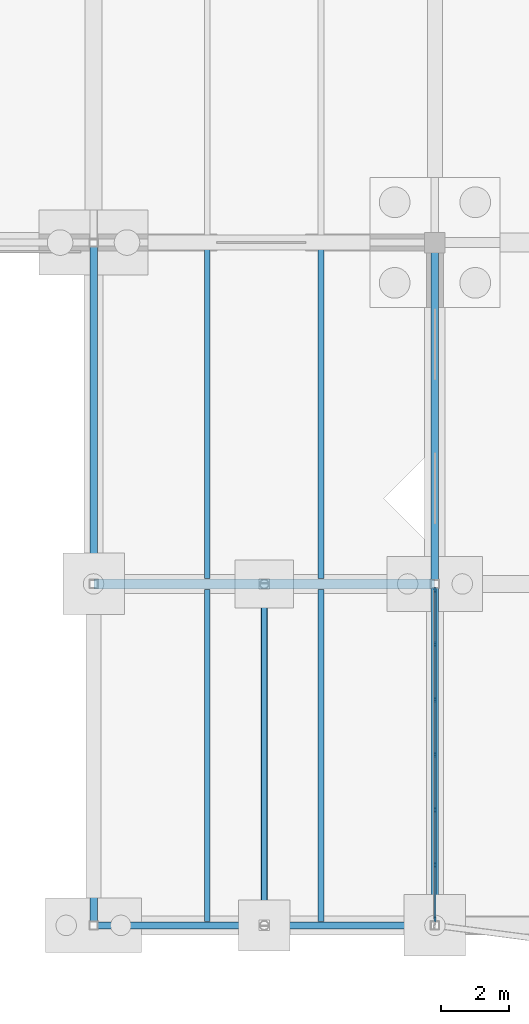
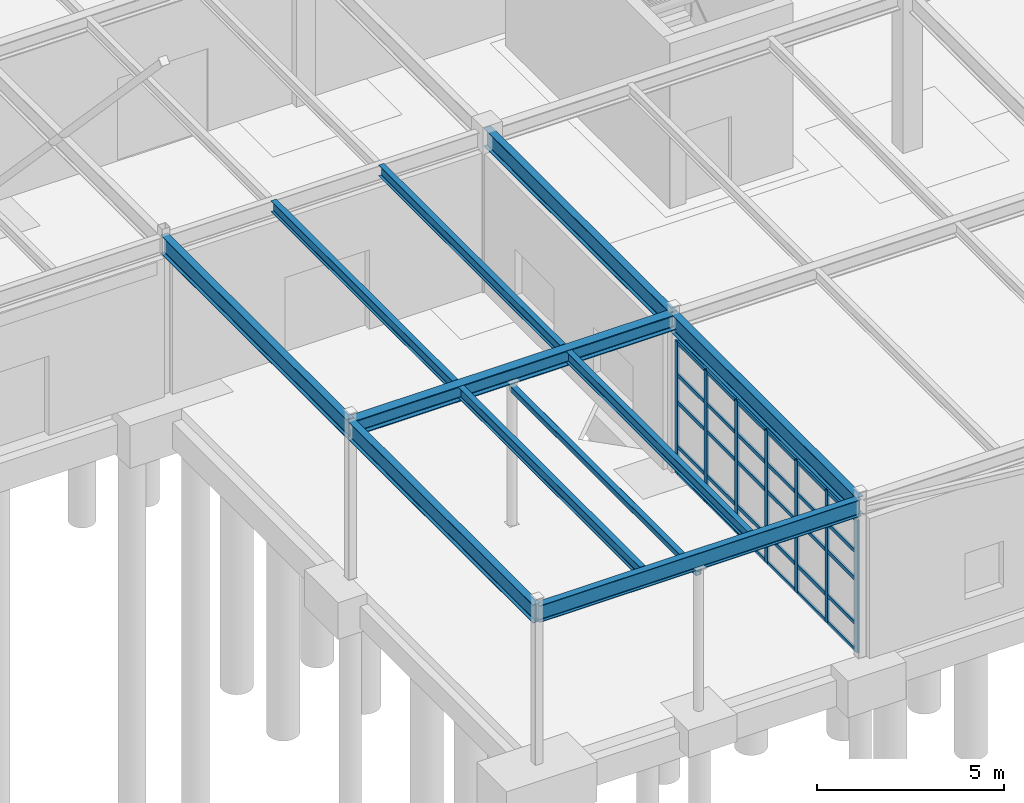
# One storey, part 44 of 145: 37 members, 11 beams, 1 element without a shape of its own.
"""IFC4 building model written with IfcOpenShell, lengths in metres."""

from ifc_helpers import new_model, si_unit, direction, frame, origin, origin_2d, place, context, subcontext, project, spatial, rectangle, hollow_rectangle, i_section, extrude, material, layer, layer_set, material_profile, profile_set, type_object, element, aggregate, save


model = new_model("IFC4")

# Units and contexts
model_context = context("Model", 3, precision=1e-05, world=origin(), true_north=direction((0.0, 1.0)))
body_context = subcontext(model_context, "Body", "Model", "MODEL_VIEW")
ifc_project = project(units=[si_unit("LENGTHUNIT", "METRE"), si_unit("AREAUNIT", "SQUARE_METRE"), si_unit("VOLUMEUNIT", "CUBIC_METRE"), si_unit("PLANEANGLEUNIT", "RADIAN"), si_unit("MASSUNIT", "GRAM", prefix="KILO"), si_unit("THERMODYNAMICTEMPERATUREUNIT", "KELVIN"), si_unit("POWERUNIT", "WATT")], contexts=[model_context])

# Site, building, storey
site_placement = place(None, origin())
site = spatial("IfcSite", under=ifc_project, at=site_placement, CompositionType="ELEMENT")
building_placement = place(site_placement, origin())
building = spatial("IfcBuilding", under=site, at=building_placement, Name="Korenveer Ferry Terminal", CompositionType="ELEMENT")
storey_placement = place(building_placement, origin())
storey = spatial("IfcBuildingStorey", under=building, at=storey_placement, Name="L00", CompositionType="ELEMENT", Elevation=0.0)

# Curtain wall, members
ifc_material_1 = material(Name="Unitised bronze-and-glass curtain wall", Category="glass")
ifc_layer = layer(ifc_material_1, 0.159912109375)
ifc_layer_set = layer_set([ifc_layer], Name="Unitised bronze-and-glass curtain wall")
curtain_wall_type = type_object("IfcCurtainWallType", Name="ENV-CW-25", PredefinedType="USERDEFINED", material=ifc_layer_set)
curtain_wall_placement = place(storey_placement, frame((123.0, 0.155029296875, 0.0)))
curtain_wall = element("IfcCurtainWall", 1, at=curtain_wall_placement, inside=storey, type_object=curtain_wall_type, Name="Lancet curtain wall CWX-L00-X123-123-Y0-10", ObjectType="UNITISED CURTAIN WALL", PredefinedType="USERDEFINED")
ifc_material_2 = material(Name="Anodised bronze aluminium", Category="aluminium")
ifc_material_profile_1 = material_profile(ifc_material_2, rectangle(XDim=0.06005859375, YDim=0.159912109375, at=origin_2d()), Name="ALU 60x160")
ifc_profile_set_1 = profile_set([ifc_material_profile_1], Name="Anodised bronze aluminium")
member_type_1 = type_object("IfcMemberType", Name="ENV-CWM-60X160", PredefinedType="MULLION", material=ifc_profile_set_1)
member_1_placement = place(storey_placement, frame((123.0, 0.18505859375, 0.0), z_axis=(0.0, 0.0, 1.0), x_axis=(-1.0, 0.0, 0.0)))
member_1 = element("IfcMember", 2, at=member_1_placement, type_object=member_type_1, Name="CW-25 mullion 1", PredefinedType="MULLION", context=body_context, shape_type="SweptSolid", body=[
    extrude(rectangle(XDim=0.06005859375, YDim=0.159912109375, at=origin_2d()), origin(), (0.0, 0.0, 1.0), 4.330078125),
])
member_2_placement = place(storey_placement, frame((123.0, 1.77001953125, 0.0), z_axis=(0.0, 0.0, 1.0), x_axis=(-1.0, 0.0, 0.0)))
member_2 = element("IfcMember", 3, at=member_2_placement, type_object=member_type_1, Name="CW-25 mullion 2", PredefinedType="MULLION", context=body_context, shape_type="SweptSolid", body=[
    extrude(rectangle(XDim=0.06005859375, YDim=0.159912109375, at=origin_2d()), origin(), (0.0, 0.0, 1.0), 4.330078125),
])
member_3_placement = place(storey_placement, frame((123.0, 3.385009765625, 0.0), z_axis=(0.0, 0.0, 1.0), x_axis=(-1.0, 0.0, 0.0)))
member_3 = element("IfcMember", 4, at=member_3_placement, type_object=member_type_1, Name="CW-25 mullion 3", PredefinedType="MULLION", context=body_context, shape_type="SweptSolid", body=[
    extrude(rectangle(XDim=0.06005859375, YDim=0.159912109375, at=origin_2d()), origin(), (0.0, 0.0, 1.0), 4.330078125),
])
member_4_placement = place(storey_placement, frame((123.0, 5.0, 0.0), z_axis=(0.0, 0.0, 1.0), x_axis=(-1.0, 0.0, 0.0)))
member_4 = element("IfcMember", 5, at=member_4_placement, type_object=member_type_1, Name="CW-25 mullion 4", PredefinedType="MULLION", context=body_context, shape_type="SweptSolid", body=[
    extrude(rectangle(XDim=0.06005859375, YDim=0.159912109375, at=origin_2d()), origin(), (0.0, 0.0, 1.0), 4.330078125),
])
member_5_placement = place(storey_placement, frame((123.0, 6.614990234375, 0.0), z_axis=(0.0, 0.0, 1.0), x_axis=(-1.0, 0.0, 0.0)))
member_5 = element("IfcMember", 6, at=member_5_placement, type_object=member_type_1, Name="CW-25 mullion 5", PredefinedType="MULLION", context=body_context, shape_type="SweptSolid", body=[
    extrude(rectangle(XDim=0.06005859375, YDim=0.159912109375, at=origin_2d()), origin(), (0.0, 0.0, 1.0), 4.330078125),
])
member_6_placement = place(storey_placement, frame((123.0, 8.22998046875, 0.0), z_axis=(0.0, 0.0, 1.0), x_axis=(-1.0, 0.0, 0.0)))
member_6 = element("IfcMember", 7, at=member_6_placement, type_object=member_type_1, Name="CW-25 mullion 6", PredefinedType="MULLION", context=body_context, shape_type="SweptSolid", body=[
    extrude(rectangle(XDim=0.06005859375, YDim=0.159912109375, at=origin_2d()), origin(), (0.0, 0.0, 1.0), 4.330078125),
])
member_7_placement = place(storey_placement, frame((123.0, 9.81494140625, 0.0), z_axis=(0.0, 0.0, 1.0), x_axis=(-1.0, 0.0, 0.0)))
member_7 = element("IfcMember", 8, at=member_7_placement, type_object=member_type_1, Name="CW-25 mullion 7", PredefinedType="MULLION", context=body_context, shape_type="SweptSolid", body=[
    extrude(rectangle(XDim=0.06005859375, YDim=0.159912109375, at=origin_2d()), origin(), (0.0, 0.0, 1.0), 4.330078125),
])
ifc_material_profile_2 = material_profile(ifc_material_2, rectangle(XDim=0.06005859375, YDim=0.1201171875, at=origin_2d()), Name="ALU 60x120")
ifc_profile_set_2 = profile_set([ifc_material_profile_2], Name="Anodised bronze aluminium")
member_type_2 = type_object("IfcMemberType", Name="ENV-CWT-60X120", PredefinedType="USERDEFINED", material=ifc_profile_set_2)
member_8_placement = place(storey_placement, frame((123.0, 0.215087890625, 0.030029296875), z_axis=(0.0, 1.0, 0.0), x_axis=(-1.0, 0.0, 0.0)))
member_8 = element("IfcMember", 9, at=member_8_placement, type_object=member_type_2, Name="CW-25 transom 1.1", ObjectType="TRANSOM", PredefinedType="USERDEFINED", context=body_context, shape_type="SweptSolid", body=[
    extrude(rectangle(XDim=0.06005859375, YDim=0.1201171875, at=origin_2d()), origin(), (0.0, 0.0, 1.0), 1.52490234375),
])
member_9_placement = place(storey_placement, frame((123.0, 0.215087890625, 0.89990234375), z_axis=(0.0, 1.0, 0.0), x_axis=(-1.0, 0.0, 0.0)))
member_9 = element("IfcMember", 10, at=member_9_placement, type_object=member_type_2, Name="CW-25 transom 1.2", ObjectType="TRANSOM", PredefinedType="USERDEFINED", context=body_context, shape_type="SweptSolid", body=[
    extrude(rectangle(XDim=0.06005859375, YDim=0.1201171875, at=origin_2d()), origin(), (0.0, 0.0, 1.0), 1.52490234375),
])
member_10_placement = place(storey_placement, frame((123.0, 0.215087890625, 2.35009765625), z_axis=(0.0, 1.0, 0.0), x_axis=(-1.0, 0.0, 0.0)))
member_10 = element("IfcMember", 11, at=member_10_placement, type_object=member_type_2, Name="CW-25 transom 1.3", ObjectType="TRANSOM", PredefinedType="USERDEFINED", context=body_context, shape_type="SweptSolid", body=[
    extrude(rectangle(XDim=0.06005859375, YDim=0.1201171875, at=origin_2d()), origin(), (0.0, 0.0, 1.0), 1.52490234375),
])
member_11_placement = place(storey_placement, frame((123.0, 0.215087890625, 3.25), z_axis=(0.0, 1.0, 0.0), x_axis=(-1.0, 0.0, 0.0)))
member_11 = element("IfcMember", 12, at=member_11_placement, type_object=member_type_2, Name="CW-25 transom 1.4", ObjectType="TRANSOM", PredefinedType="USERDEFINED", context=body_context, shape_type="SweptSolid", body=[
    extrude(rectangle(XDim=0.06005859375, YDim=0.1201171875, at=origin_2d()), origin(), (0.0, 0.0, 1.0), 1.52490234375),
])
member_12_placement = place(storey_placement, frame((123.0, 0.215087890625, 4.300048828125), z_axis=(0.0, 1.0, 0.0), x_axis=(-1.0, 0.0, 0.0)))
member_12 = element("IfcMember", 13, at=member_12_placement, type_object=member_type_2, Name="CW-25 transom 1.5", ObjectType="TRANSOM", PredefinedType="USERDEFINED", context=body_context, shape_type="SweptSolid", body=[
    extrude(rectangle(XDim=0.06005859375, YDim=0.1201171875, at=origin_2d()), origin(), (0.0, 0.0, 1.0), 1.52490234375),
])
member_13_placement = place(storey_placement, frame((123.0, 1.800048828125, 0.030029296875), z_axis=(0.0, 1.0, 0.0), x_axis=(-1.0, 0.0, 0.0)))
member_13 = element("IfcMember", 14, at=member_13_placement, type_object=member_type_2, Name="CW-25 transom 2.1", ObjectType="TRANSOM", PredefinedType="USERDEFINED", context=body_context, shape_type="SweptSolid", body=[
    extrude(rectangle(XDim=0.06005859375, YDim=0.1201171875, at=origin_2d()), origin(), (0.0, 0.0, 1.0), 1.554931640625),
])
member_14_placement = place(storey_placement, frame((123.0, 1.800048828125, 0.89990234375), z_axis=(0.0, 1.0, 0.0), x_axis=(-1.0, 0.0, 0.0)))
member_14 = element("IfcMember", 15, at=member_14_placement, type_object=member_type_2, Name="CW-25 transom 2.2", ObjectType="TRANSOM", PredefinedType="USERDEFINED", context=body_context, shape_type="SweptSolid", body=[
    extrude(rectangle(XDim=0.06005859375, YDim=0.1201171875, at=origin_2d()), origin(), (0.0, 0.0, 1.0), 1.554931640625),
])
member_15_placement = place(storey_placement, frame((123.0, 1.800048828125, 2.35009765625), z_axis=(0.0, 1.0, 0.0), x_axis=(-1.0, 0.0, 0.0)))
member_15 = element("IfcMember", 16, at=member_15_placement, type_object=member_type_2, Name="CW-25 transom 2.3", ObjectType="TRANSOM", PredefinedType="USERDEFINED", context=body_context, shape_type="SweptSolid", body=[
    extrude(rectangle(XDim=0.06005859375, YDim=0.1201171875, at=origin_2d()), origin(), (0.0, 0.0, 1.0), 1.554931640625),
])
member_16_placement = place(storey_placement, frame((123.0, 1.800048828125, 3.25), z_axis=(0.0, 1.0, 0.0), x_axis=(-1.0, 0.0, 0.0)))
member_16 = element("IfcMember", 17, at=member_16_placement, type_object=member_type_2, Name="CW-25 transom 2.4", ObjectType="TRANSOM", PredefinedType="USERDEFINED", context=body_context, shape_type="SweptSolid", body=[
    extrude(rectangle(XDim=0.06005859375, YDim=0.1201171875, at=origin_2d()), origin(), (0.0, 0.0, 1.0), 1.554931640625),
])
member_17_placement = place(storey_placement, frame((123.0, 1.800048828125, 4.300048828125), z_axis=(0.0, 1.0, 0.0), x_axis=(-1.0, 0.0, 0.0)))
member_17 = element("IfcMember", 18, at=member_17_placement, type_object=member_type_2, Name="CW-25 transom 2.5", ObjectType="TRANSOM", PredefinedType="USERDEFINED", context=body_context, shape_type="SweptSolid", body=[
    extrude(rectangle(XDim=0.06005859375, YDim=0.1201171875, at=origin_2d()), origin(), (0.0, 0.0, 1.0), 1.554931640625),
])
member_18_placement = place(storey_placement, frame((123.0, 3.4150390625, 0.030029296875), z_axis=(0.0, 1.0, 0.0), x_axis=(-1.0, 0.0, 0.0)))
member_18 = element("IfcMember", 19, at=member_18_placement, type_object=member_type_2, Name="CW-25 transom 3.1", ObjectType="TRANSOM", PredefinedType="USERDEFINED", context=body_context, shape_type="SweptSolid", body=[
    extrude(rectangle(XDim=0.06005859375, YDim=0.1201171875, at=origin_2d()), origin(), (0.0, 0.0, 1.0), 1.554931640625),
])
member_19_placement = place(storey_placement, frame((123.0, 3.4150390625, 0.89990234375), z_axis=(0.0, 1.0, 0.0), x_axis=(-1.0, 0.0, 0.0)))
member_19 = element("IfcMember", 20, at=member_19_placement, type_object=member_type_2, Name="CW-25 transom 3.2", ObjectType="TRANSOM", PredefinedType="USERDEFINED", context=body_context, shape_type="SweptSolid", body=[
    extrude(rectangle(XDim=0.06005859375, YDim=0.1201171875, at=origin_2d()), origin(), (0.0, 0.0, 1.0), 1.554931640625),
])
member_20_placement = place(storey_placement, frame((123.0, 3.4150390625, 2.35009765625), z_axis=(0.0, 1.0, 0.0), x_axis=(-1.0, 0.0, 0.0)))
member_20 = element("IfcMember", 21, at=member_20_placement, type_object=member_type_2, Name="CW-25 transom 3.3", ObjectType="TRANSOM", PredefinedType="USERDEFINED", context=body_context, shape_type="SweptSolid", body=[
    extrude(rectangle(XDim=0.06005859375, YDim=0.1201171875, at=origin_2d()), origin(), (0.0, 0.0, 1.0), 1.554931640625),
])
member_21_placement = place(storey_placement, frame((123.0, 3.4150390625, 3.25), z_axis=(0.0, 1.0, 0.0), x_axis=(-1.0, 0.0, 0.0)))
member_21 = element("IfcMember", 22, at=member_21_placement, type_object=member_type_2, Name="CW-25 transom 3.4", ObjectType="TRANSOM", PredefinedType="USERDEFINED", context=body_context, shape_type="SweptSolid", body=[
    extrude(rectangle(XDim=0.06005859375, YDim=0.1201171875, at=origin_2d()), origin(), (0.0, 0.0, 1.0), 1.554931640625),
])
member_22_placement = place(storey_placement, frame((123.0, 3.4150390625, 4.300048828125), z_axis=(0.0, 1.0, 0.0), x_axis=(-1.0, 0.0, 0.0)))
member_22 = element("IfcMember", 23, at=member_22_placement, type_object=member_type_2, Name="CW-25 transom 3.5", ObjectType="TRANSOM", PredefinedType="USERDEFINED", context=body_context, shape_type="SweptSolid", body=[
    extrude(rectangle(XDim=0.06005859375, YDim=0.1201171875, at=origin_2d()), origin(), (0.0, 0.0, 1.0), 1.554931640625),
])
member_23_placement = place(storey_placement, frame((123.0, 5.030029296875, 0.030029296875), z_axis=(0.0, 1.0, 0.0), x_axis=(-1.0, 0.0, 0.0)))
member_23 = element("IfcMember", 24, at=member_23_placement, type_object=member_type_2, Name="CW-25 transom 4.1", ObjectType="TRANSOM", PredefinedType="USERDEFINED", context=body_context, shape_type="SweptSolid", body=[
    extrude(rectangle(XDim=0.06005859375, YDim=0.1201171875, at=origin_2d()), origin(), (0.0, 0.0, 1.0), 1.554931640625),
])
member_24_placement = place(storey_placement, frame((123.0, 5.030029296875, 0.89990234375), z_axis=(0.0, 1.0, 0.0), x_axis=(-1.0, 0.0, 0.0)))
member_24 = element("IfcMember", 25, at=member_24_placement, type_object=member_type_2, Name="CW-25 transom 4.2", ObjectType="TRANSOM", PredefinedType="USERDEFINED", context=body_context, shape_type="SweptSolid", body=[
    extrude(rectangle(XDim=0.06005859375, YDim=0.1201171875, at=origin_2d()), origin(), (0.0, 0.0, 1.0), 1.554931640625),
])
member_25_placement = place(storey_placement, frame((123.0, 5.030029296875, 2.35009765625), z_axis=(0.0, 1.0, 0.0), x_axis=(-1.0, 0.0, 0.0)))
member_25 = element("IfcMember", 26, at=member_25_placement, type_object=member_type_2, Name="CW-25 transom 4.3", ObjectType="TRANSOM", PredefinedType="USERDEFINED", context=body_context, shape_type="SweptSolid", body=[
    extrude(rectangle(XDim=0.06005859375, YDim=0.1201171875, at=origin_2d()), origin(), (0.0, 0.0, 1.0), 1.554931640625),
])
member_26_placement = place(storey_placement, frame((123.0, 5.030029296875, 3.25), z_axis=(0.0, 1.0, 0.0), x_axis=(-1.0, 0.0, 0.0)))
member_26 = element("IfcMember", 27, at=member_26_placement, type_object=member_type_2, Name="CW-25 transom 4.4", ObjectType="TRANSOM", PredefinedType="USERDEFINED", context=body_context, shape_type="SweptSolid", body=[
    extrude(rectangle(XDim=0.06005859375, YDim=0.1201171875, at=origin_2d()), origin(), (0.0, 0.0, 1.0), 1.554931640625),
])
member_27_placement = place(storey_placement, frame((123.0, 5.030029296875, 4.300048828125), z_axis=(0.0, 1.0, 0.0), x_axis=(-1.0, 0.0, 0.0)))
member_27 = element("IfcMember", 28, at=member_27_placement, type_object=member_type_2, Name="CW-25 transom 4.5", ObjectType="TRANSOM", PredefinedType="USERDEFINED", context=body_context, shape_type="SweptSolid", body=[
    extrude(rectangle(XDim=0.06005859375, YDim=0.1201171875, at=origin_2d()), origin(), (0.0, 0.0, 1.0), 1.554931640625),
])
member_28_placement = place(storey_placement, frame((123.0, 6.64501953125, 0.030029296875), z_axis=(0.0, 1.0, 0.0), x_axis=(-1.0, 0.0, 0.0)))
member_28 = element("IfcMember", 29, at=member_28_placement, type_object=member_type_2, Name="CW-25 transom 5.1", ObjectType="TRANSOM", PredefinedType="USERDEFINED", context=body_context, shape_type="SweptSolid", body=[
    extrude(rectangle(XDim=0.06005859375, YDim=0.1201171875, at=origin_2d()), origin(), (0.0, 0.0, 1.0), 1.554931640625),
])
member_29_placement = place(storey_placement, frame((123.0, 6.64501953125, 0.89990234375), z_axis=(0.0, 1.0, 0.0), x_axis=(-1.0, 0.0, 0.0)))
member_29 = element("IfcMember", 30, at=member_29_placement, type_object=member_type_2, Name="CW-25 transom 5.2", ObjectType="TRANSOM", PredefinedType="USERDEFINED", context=body_context, shape_type="SweptSolid", body=[
    extrude(rectangle(XDim=0.06005859375, YDim=0.1201171875, at=origin_2d()), origin(), (0.0, 0.0, 1.0), 1.554931640625),
])
member_30_placement = place(storey_placement, frame((123.0, 6.64501953125, 2.35009765625), z_axis=(0.0, 1.0, 0.0), x_axis=(-1.0, 0.0, 0.0)))
member_30 = element("IfcMember", 31, at=member_30_placement, type_object=member_type_2, Name="CW-25 transom 5.3", ObjectType="TRANSOM", PredefinedType="USERDEFINED", context=body_context, shape_type="SweptSolid", body=[
    extrude(rectangle(XDim=0.06005859375, YDim=0.1201171875, at=origin_2d()), origin(), (0.0, 0.0, 1.0), 1.554931640625),
])
member_31_placement = place(storey_placement, frame((123.0, 6.64501953125, 3.25), z_axis=(0.0, 1.0, 0.0), x_axis=(-1.0, 0.0, 0.0)))
member_31 = element("IfcMember", 32, at=member_31_placement, type_object=member_type_2, Name="CW-25 transom 5.4", ObjectType="TRANSOM", PredefinedType="USERDEFINED", context=body_context, shape_type="SweptSolid", body=[
    extrude(rectangle(XDim=0.06005859375, YDim=0.1201171875, at=origin_2d()), origin(), (0.0, 0.0, 1.0), 1.554931640625),
])
member_32_placement = place(storey_placement, frame((123.0, 6.64501953125, 4.300048828125), z_axis=(0.0, 1.0, 0.0), x_axis=(-1.0, 0.0, 0.0)))
member_32 = element("IfcMember", 33, at=member_32_placement, type_object=member_type_2, Name="CW-25 transom 5.5", ObjectType="TRANSOM", PredefinedType="USERDEFINED", context=body_context, shape_type="SweptSolid", body=[
    extrude(rectangle(XDim=0.06005859375, YDim=0.1201171875, at=origin_2d()), origin(), (0.0, 0.0, 1.0), 1.554931640625),
])
member_33_placement = place(storey_placement, frame((123.0, 8.260009765625, 0.030029296875), z_axis=(0.0, 1.0, 0.0), x_axis=(-1.0, 0.0, 0.0)))
member_33 = element("IfcMember", 34, at=member_33_placement, type_object=member_type_2, Name="CW-25 transom 6.1", ObjectType="TRANSOM", PredefinedType="USERDEFINED", context=body_context, shape_type="SweptSolid", body=[
    extrude(rectangle(XDim=0.06005859375, YDim=0.1201171875, at=origin_2d()), origin(), (0.0, 0.0, 1.0), 1.52490234375),
])
member_34_placement = place(storey_placement, frame((123.0, 8.260009765625, 0.89990234375), z_axis=(0.0, 1.0, 0.0), x_axis=(-1.0, 0.0, 0.0)))
member_34 = element("IfcMember", 35, at=member_34_placement, type_object=member_type_2, Name="CW-25 transom 6.2", ObjectType="TRANSOM", PredefinedType="USERDEFINED", context=body_context, shape_type="SweptSolid", body=[
    extrude(rectangle(XDim=0.06005859375, YDim=0.1201171875, at=origin_2d()), origin(), (0.0, 0.0, 1.0), 1.52490234375),
])
member_35_placement = place(storey_placement, frame((123.0, 8.260009765625, 2.35009765625), z_axis=(0.0, 1.0, 0.0), x_axis=(-1.0, 0.0, 0.0)))
member_35 = element("IfcMember", 36, at=member_35_placement, type_object=member_type_2, Name="CW-25 transom 6.3", ObjectType="TRANSOM", PredefinedType="USERDEFINED", context=body_context, shape_type="SweptSolid", body=[
    extrude(rectangle(XDim=0.06005859375, YDim=0.1201171875, at=origin_2d()), origin(), (0.0, 0.0, 1.0), 1.52490234375),
])
member_36_placement = place(storey_placement, frame((123.0, 8.260009765625, 3.25), z_axis=(0.0, 1.0, 0.0), x_axis=(-1.0, 0.0, 0.0)))
member_36 = element("IfcMember", 37, at=member_36_placement, type_object=member_type_2, Name="CW-25 transom 6.4", ObjectType="TRANSOM", PredefinedType="USERDEFINED", context=body_context, shape_type="SweptSolid", body=[
    extrude(rectangle(XDim=0.06005859375, YDim=0.1201171875, at=origin_2d()), origin(), (0.0, 0.0, 1.0), 1.52490234375),
])
member_37_placement = place(storey_placement, frame((123.0, 8.260009765625, 4.300048828125), z_axis=(0.0, 1.0, 0.0), x_axis=(-1.0, 0.0, 0.0)))
member_37 = element("IfcMember", 38, at=member_37_placement, type_object=member_type_2, Name="CW-25 transom 6.5", ObjectType="TRANSOM", PredefinedType="USERDEFINED", context=body_context, shape_type="SweptSolid", body=[
    extrude(rectangle(XDim=0.06005859375, YDim=0.1201171875, at=origin_2d()), origin(), (0.0, 0.0, 1.0), 1.52490234375),
])
aggregate(curtain_wall, [member_1, member_2, member_3, member_4, member_5, member_6, member_7, member_8, member_9, member_10, member_11, member_12, member_13, member_14, member_15, member_16, member_17, member_18, member_19, member_20, member_21, member_22, member_23, member_24, member_25, member_26, member_27, member_28, member_29, member_30, member_31, member_32, member_33, member_34, member_35, member_36, member_37])

# Beams
ifc_material_3 = material(Name="Steel S355", Category="steel")
ifc_material_profile_3 = material_profile(ifc_material_3, i_section(OverallWidth=0.300048828125, OverallDepth=0.5, WebThickness=0.014404296875, FlangeThickness=0.028076171875, FilletRadius=0.027099609375, at=origin_2d()), Name="HEB 500")
ifc_profile_set_3 = profile_set([ifc_material_profile_3], Name="Steel S355")
beam_type_1 = type_object("IfcBeamType", Name="STR-BM-HEB500", PredefinedType="BEAM", material=ifc_profile_set_3)
beam_1_placement = place(storey_placement, frame((113.02001953125, 10.0, 4.909912109375), z_axis=(1.0, 0.0, 0.0), x_axis=(0.0, 1.0, 0.0)))
element("IfcBeam", 39, at=beam_1_placement, inside=storey, type_object=beam_type_1, Name="Primary X girder BMX-L01-X113-123-Y10", PredefinedType="BEAM", context=body_context, shape_type="SweptSolid", body=[
    extrude(i_section(OverallWidth=0.300048828125, OverallDepth=0.5, WebThickness=0.014404296875, FlangeThickness=0.028076171875, FilletRadius=0.027099609375, at=origin_2d()), origin(), (0.0, 0.0, 1.0), 9.9599609375),
])
ifc_material_profile_4 = material_profile(ifc_material_3, i_section(OverallWidth=0.2099609375, OverallDepth=0.550048828125, WebThickness=0.010986328125, FlangeThickness=0.01708984375, FilletRadius=0.02392578125, at=origin_2d()), Name="IPE 550")
ifc_profile_set_4 = profile_set([ifc_material_profile_4], Name="Steel S355")
beam_type_2 = type_object("IfcBeamType", Name="STR-BM-IPE550", PredefinedType="BEAM", material=ifc_profile_set_4)
beam_2_placement = place(storey_placement, frame((113.02001953125, 0.0, 4.885009765625), z_axis=(1.0, 0.0, 0.0), x_axis=(0.0, 1.0, 0.0)))
element("IfcBeam", 40, at=beam_2_placement, inside=storey, type_object=beam_type_2, Name="Primary X girder BMX-L01-X113-123-Y0", PredefinedType="BEAM", context=body_context, shape_type="SweptSolid", body=[
    extrude(i_section(OverallWidth=0.2099609375, OverallDepth=0.550048828125, WebThickness=0.010986328125, FlangeThickness=0.01708984375, FilletRadius=0.02392578125, at=origin_2d()), origin(), (0.0, 0.0, 1.0), 9.9599609375),
])
ifc_material_profile_5 = material_profile(ifc_material_3, i_section(OverallWidth=0.219970703125, OverallDepth=0.60009765625, WebThickness=0.011962890625, FlangeThickness=0.01904296875, FilletRadius=0.02392578125, at=origin_2d()), Name="IPE 600")
ifc_profile_set_5 = profile_set([ifc_material_profile_5], Name="Steel S355")
beam_type_3 = type_object("IfcBeamType", Name="STR-BM-IPE600", PredefinedType="BEAM", material=ifc_profile_set_5)
for number, where, z_axis, x_axis, name in (
    (41, (113.0, 0.02001953125, 4.860107421875), (0.0, 1.0, 0.0), (-1.0, 0.0, 0.0), "Primary Y girder BMY-L01-X113-Y0-10"),
    (42, (113.0, 10.02001953125, 4.860107421875), (0.0, 1.0, 0.0), (-1.0, 0.0, 0.0), "Primary Y girder BMY-L01-X113-Y10-20"),
    (43, (123.0, 0.02001953125, 4.860107421875), (0.0, 1.0, 0.0), (-1.0, 0.0, 0.0), "Primary Y girder BMY-L01-X123-Y0-10"),
    (44, (123.0, 10.02001953125, 4.860107421875), (0.0, 1.0, 0.0), (-1.0, 0.0, 0.0), "Primary Y girder BMY-L01-X123-Y10-20"),
):
    element("IfcBeam", number, at=place(storey_placement, frame(where, z_axis=z_axis, x_axis=x_axis)), inside=storey, type_object=beam_type_3, Name=name, PredefinedType="BEAM", context=body_context, shape_type="SweptSolid", body=[
        extrude(i_section(OverallWidth=0.219970703125, OverallDepth=0.60009765625, WebThickness=0.011962890625, FlangeThickness=0.01904296875, FilletRadius=0.02392578125, at=origin_2d()), origin(), (0.0, 0.0, 1.0), 9.9599609375),
    ])
ifc_material_profile_6 = material_profile(ifc_material_3, i_section(OverallWidth=0.169921875, OverallDepth=0.360107421875, WebThickness=0.008056640625, FlangeThickness=0.0126953125, FilletRadius=0.01806640625, at=origin_2d()), Name="IPE 360")
ifc_profile_set_6 = profile_set([ifc_material_profile_6], Name="Steel S355")
beam_type_4 = type_object("IfcBeamType", Name="STR-JST-IPE360", PredefinedType="JOIST", material=ifc_profile_set_6)
for number, where, z_axis, x_axis, name in (
    (45, (116.333251953125, 0.114990234375, 4.97998046875), (0.0, 1.0, 0.0), (-1.0, 0.0, 0.0), "Secondary composite joist JST-L01-X1163-Y0-10"),
    (46, (119.666748046875, 0.114990234375, 4.97998046875), (0.0, 1.0, 0.0), (-1.0, 0.0, 0.0), "Secondary composite joist JST-L01-X1197-Y0-10"),
    (47, (116.333251953125, 10.159912109375, 4.97998046875), (0.0, 1.0, 0.0), (-1.0, 0.0, 0.0), "Secondary composite joist JST-L01-X1163-Y10-20"),
    (48, (119.666748046875, 10.159912109375, 4.97998046875), (0.0, 1.0, 0.0), (-1.0, 0.0, 0.0), "Secondary composite joist JST-L01-X1197-Y10-20"),
):
    element("IfcBeam", number, at=place(storey_placement, frame(where, z_axis=z_axis, x_axis=x_axis)), inside=storey, type_object=beam_type_4, Name=name, PredefinedType="JOIST", context=body_context, shape_type="SweptSolid", body=[
        extrude(i_section(OverallWidth=0.169921875, OverallDepth=0.360107421875, WebThickness=0.008056640625, FlangeThickness=0.0126953125, FilletRadius=0.01806640625, at=origin_2d()), origin(), (0.0, 0.0, 1.0), 9.72509765625),
    ])
ifc_material_profile_7 = material_profile(ifc_material_3, hollow_rectangle(XDim=0.179931640625, YDim=0.179931640625, WallThickness=0.010009765625, InnerFilletRadius=0.010009765625, OuterFilletRadius=0.014892578125, at=origin_2d()), Name="SHS 180x180x10")
ifc_profile_set_7 = profile_set([ifc_material_profile_7], Name="Steel S355")
beam_type_5 = type_object("IfcBeamType", Name="STR-LNT-SHS180", PredefinedType="LINTEL", material=ifc_profile_set_7)
beam_3_placement = place(storey_placement, frame((118.0, 0.0, 4.449951171875), z_axis=(0.0, 1.0, 0.0), x_axis=(-1.0, 0.0, 0.0)))
element("IfcBeam", 49, at=beam_3_placement, inside=storey, type_object=beam_type_5, Name="Forecourt arcade lintel LNT-FCPAIR-03", PredefinedType="LINTEL", context=body_context, shape_type="SweptSolid", body=[
    extrude(hollow_rectangle(XDim=0.179931640625, YDim=0.179931640625, WallThickness=0.010009765625, InnerFilletRadius=0.010009765625, OuterFilletRadius=0.014892578125, at=origin_2d()), origin(), (0.0, 0.0, 1.0), 10.0),
])

save(model, "model.ifc")
